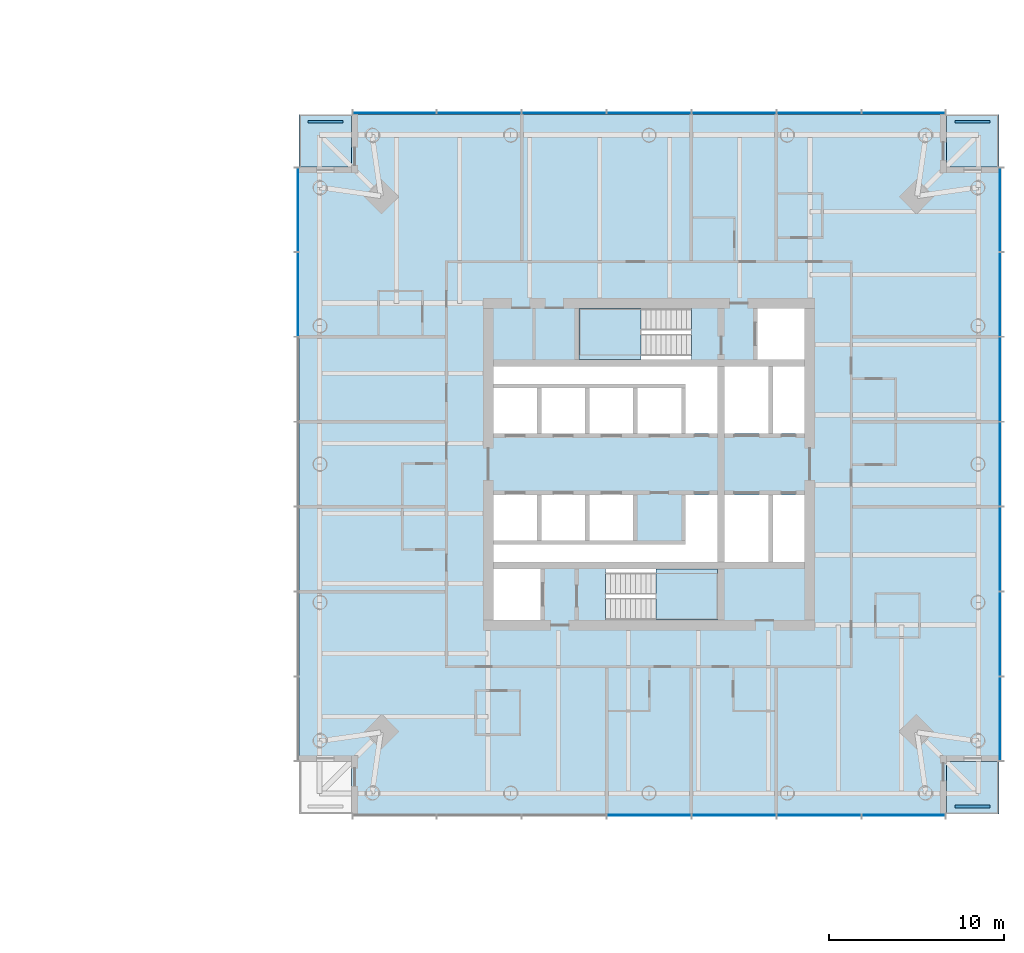
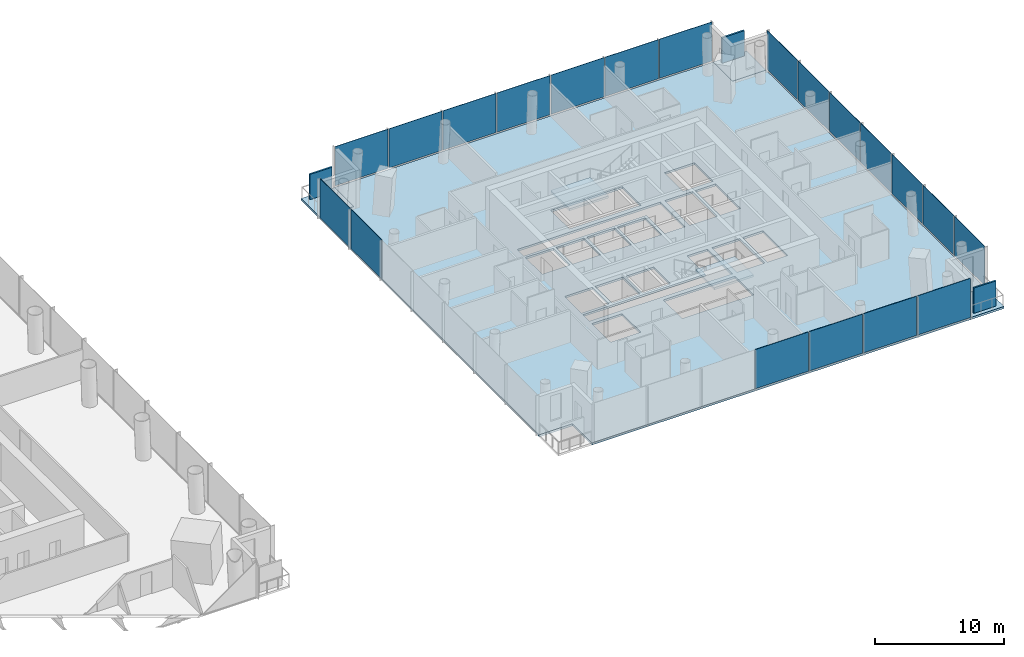
# One storey, part 8 of 19: 23 plates, 6 slabs, 6 elements without a shape of their own.
"""IFC4 building model written with IfcOpenShell, lengths in metres."""

import ifcopenshell
import ifcopenshell.guid

model = None  # the IFC model being written
_history = None  # IfcOwnerHistory: only IFC2X3 demands one
_inside = {}  # id of a spatial element -> (the spatial element, [elements in it])
_under = {}  # id of a project, library or spatial element -> (it, [spatial elements below it])
_declared = {}  # id of a project -> (the project, [libraries it declares])
_typed = {}  # id of a type object -> (the type object, [elements of that type])
_made_of = {}  # id of a material, layer set ... -> (it, [elements and type objects made of it])


def new_model(schema):
    """Start an empty IFC model of exactly this schema.

    Asked for "IFC4X3", IfcOpenShell would pick the latest addendum, in which some entities
    have other attributes; the version numbers below select the first issue.
    IFC2X3 requires an IfcOwnerHistory on every rooted entity: one is made here for all.
    """
    global model, _history
    if schema == "IFC4X3":
        model = ifcopenshell.file(schema_version=(4, 3, 0, 0))
    else:
        model = ifcopenshell.file(schema=schema)
    _inside.clear()
    _under.clear()
    _declared.clear()
    _typed.clear()
    _made_of.clear()
    _history = None
    if model.schema == "IFC2X3":
        org = make("IfcOrganization", Name="unknown")
        user = make(
            "IfcPersonAndOrganization",
            ThePerson=make("IfcPerson", FamilyName="unknown"),
            TheOrganization=org,
        )
        app = make(
            "IfcApplication",
            ApplicationDeveloper=org,
            Version="unknown",
            ApplicationFullName="unknown",
            ApplicationIdentifier="unknown",
        )
        _history = make(
            "IfcOwnerHistory",
            OwningUser=user,
            OwningApplication=app,
            ChangeAction="ADDED",
            CreationDate=0,
        )
    return model


def make(cls, **values):
    """One entity of the class cls with the attributes given. An attribute that is None is left unset."""
    return model.create_entity(
        cls, **{name: value for name, value in values.items() if value is not None}
    )


def rooted(cls, **values):
    """An entity with a GlobalId (a new one), such as an element, a storey or a relation."""
    return make(cls, GlobalId=ifcopenshell.guid.new(), OwnerHistory=_history, **values)


def si_unit(unit_type, name, prefix=None):
    """IfcSIUnit, for example si_unit("LENGTHUNIT", "METRE", prefix="MILLI")."""
    return make("IfcSIUnit", UnitType=unit_type, Prefix=prefix, Name=name)


def assignment(units):
    """IfcUnitAssignment: the units of a project."""
    return None if units is None else make("IfcUnitAssignment", Units=units)


def point(xyz):
    """IfcCartesianPoint."""
    return None if xyz is None else make("IfcCartesianPoint", Coordinates=xyz)


def direction(xyz):
    """IfcDirection."""
    return None if xyz is None else make("IfcDirection", DirectionRatios=xyz)


def frame(location, z_axis=None, x_axis=None):
    """IfcAxis2Placement3D, a coordinate frame: its origin and axes. An axis left out is left unset."""
    return make(
        "IfcAxis2Placement3D",
        Location=point(location),
        Axis=direction(z_axis),
        RefDirection=direction(x_axis),
    )


def frame_2d(location, x_axis=None):
    """IfcAxis2Placement2D, a coordinate frame in the plane: its origin and x axis."""
    return make(
        "IfcAxis2Placement2D", Location=point(location), RefDirection=direction(x_axis)
    )


def origin():
    """The frame at (0, 0, 0) with its axes left unset."""
    return frame((0.0, 0.0, 0.0))


def origin_2d():
    """The frame at (0, 0) in the plane with its x axis left unset."""
    return frame_2d((0.0, 0.0))


def place(relative_to, where):
    """IfcLocalPlacement: puts the frame where relative to a parent placement (None: the world)."""
    return make(
        "IfcLocalPlacement", PlacementRelTo=relative_to, RelativePlacement=where
    )


def context(
    kind, dimensions, precision=None, world=None, true_north=None, identifier=None
):
    """IfcGeometricRepresentationContext, for example the 3D "Model" context."""
    return make(
        "IfcGeometricRepresentationContext",
        ContextIdentifier=identifier,
        ContextType=kind,
        CoordinateSpaceDimension=dimensions,
        Precision=precision,
        WorldCoordinateSystem=world,
        TrueNorth=true_north,
    )


def subcontext(parent, identifier, kind, view, scale=None):
    """IfcGeometricRepresentationSubContext, for example "Body" below "Model"."""
    return make(
        "IfcGeometricRepresentationSubContext",
        ContextIdentifier=identifier,
        ContextType=kind,
        ParentContext=parent,
        TargetScale=scale,
        TargetView=view,
    )


def project(units=None, contexts=None):
    """IfcProject with its units and contexts."""
    return rooted(
        "IfcProject",
        Name="project",
        RepresentationContexts=contexts,
        UnitsInContext=assignment(units),
    )


def spatial(cls, under=None, at=None, **own):
    """A site, building, storey or space (cls), placed at a placement, below another one or the project."""
    s = rooted(cls, ObjectPlacement=at, **own)
    if under is not None:
        _under.setdefault(under.id(), (under, []))[1].append(s)
    return s


def polyline(points):
    """IfcPolyline through the points."""
    return make("IfcPolyline", Points=[point(p) for p in points])


def profile(cls, at=None, kind="AREA", **sizes):
    """A parametric profile (cls). Its sizes go by their IFC names, for example OverallWidth=200.0."""
    return make(cls, ProfileType=kind, Position=at, **sizes)


def rectangle(**sizes):
    """IfcRectangleProfileDef."""
    return profile("IfcRectangleProfileDef", **sizes)


def outline(outer, holes=None, kind="AREA"):
    """IfcArbitraryClosedProfileDef: a profile drawn as a closed curve; with holes, ...WithVoids."""
    if holes is None:
        return make("IfcArbitraryClosedProfileDef", ProfileType=kind, OuterCurve=outer)
    return make(
        "IfcArbitraryProfileDefWithVoids",
        ProfileType=kind,
        OuterCurve=outer,
        InnerCurves=holes,
    )


def extrude(swept, where, along, depth):
    """IfcExtrudedAreaSolid: the profile swept, set in the frame where, extruded along a direction by depth."""
    return make(
        "IfcExtrudedAreaSolid",
        SweptArea=swept,
        Position=where,
        ExtrudedDirection=direction(along),
        Depth=depth,
    )


def shape(context_of_items, identifier, shape_type, items):
    """IfcShapeRepresentation: the items that make up one representation, for example the "Body"."""
    return make(
        "IfcShapeRepresentation",
        ContextOfItems=context_of_items,
        RepresentationIdentifier=identifier,
        RepresentationType=shape_type,
        Items=items,
    )


def material(Name=None, Category=None):
    """IfcMaterial."""
    return make("IfcMaterial", Name=Name, Category=Category)


def layer(
    of_material, thickness, ventilated=None, Name=None, Category=None, Priority=None
):
    """IfcMaterialLayer: one layer of a wall or slab, of a material (None: an air gap)."""
    return make(
        "IfcMaterialLayer",
        Material=of_material,
        LayerThickness=thickness,
        IsVentilated=ventilated,
        Name=Name,
        Category=Category,
        Priority=Priority,
    )


def layer_set(layers, Name=None):
    """IfcMaterialLayerSet."""
    return make("IfcMaterialLayerSet", MaterialLayers=layers, LayerSetName=Name)


def made_of(thing, what):
    """Note that an element or type object is made of a material, layer set ...; save() writes the relation."""
    if what is not None:
        _made_of.setdefault(what.id(), (what, []))[1].append(thing)
    return thing


def type_object(cls, material=None, **own):
    """A type object (cls), such as IfcWallType, which elements share."""
    return made_of(rooted(cls, **own), material)


def element(
    cls,
    number,
    at=None,
    inside=None,
    cuts=None,
    type_object=None,
    material=None,
    context=None,
    identifier="Body",
    shape_type=None,
    held_by="IfcProductDefinitionShape",
    body=None,
    shapes=None,
    **own,
):
    """One element of the class cls, such as IfcWall. Its Tag is "e" and its number.

    at: its placement. inside: the storey or other place that contains it. cuts: it is an
    opening in that element (IfcRelVoidsElement). A single representation is given by context,
    identifier, shape_type and body (its items); several are given by shapes. held_by: the class
    of the entity that holds the representations. save() writes the other relations.
    """
    e = rooted(cls, Tag="e%d" % number, ObjectPlacement=at, **own)
    if body is not None:
        shapes = [shape(context, identifier, shape_type, body)]
    if shapes is not None:
        e.Representation = make(held_by, Representations=shapes)
    if inside is not None:
        _inside.setdefault(inside.id(), (inside, []))[1].append(e)
    if cuts is not None:
        rooted(
            "IfcRelVoidsElement", RelatingBuildingElement=cuts, RelatedOpeningElement=e
        )
    if type_object is not None:
        _typed.setdefault(type_object.id(), (type_object, []))[1].append(e)
    return made_of(e, material)


def aggregate(whole, parts):
    """IfcRelAggregates: a whole, such as a stair, and the parts it consists of."""
    return rooted("IfcRelAggregates", RelatingObject=whole, RelatedObjects=parts)


def save(model, path):
    """Write the relations noted so far, then the file.

    IfcRelAggregates (storeys below a building ...), IfcRelContainedInSpatialStructure (elements
    in a storey), IfcRelDefinesByType, IfcRelAssociatesMaterial and IfcRelDeclares: one each for
    every whole, place, type object, material and project.
    """
    for whole, parts in _under.values():
        aggregate(whole, parts)
    for where, things in _inside.values():
        rooted(
            "IfcRelContainedInSpatialStructure",
            RelatedElements=things,
            RelatingStructure=where,
        )
    for kind, things in _typed.values():
        rooted("IfcRelDefinesByType", RelatedObjects=things, RelatingType=kind)
    for what, things in _made_of.values():
        rooted("IfcRelAssociatesMaterial", RelatedObjects=things, RelatingMaterial=what)
    for by, libraries in _declared.values():
        rooted("IfcRelDeclares", RelatingContext=by, RelatedDefinitions=libraries)
    model.write(path)


model = new_model("IFC4")

# Units and contexts
model_context = context("Model", 3, precision=1e-05, world=origin(), true_north=direction((0.0, 1.0)))
body_context = subcontext(model_context, "Body", "Model", "MODEL_VIEW")
ifc_project = project(units=[si_unit("LENGTHUNIT", "METRE"), si_unit("AREAUNIT", "SQUARE_METRE"), si_unit("VOLUMEUNIT", "CUBIC_METRE"), si_unit("PLANEANGLEUNIT", "RADIAN"), si_unit("MASSUNIT", "GRAM", prefix="KILO")], contexts=[model_context])

# Site, building, storey
site_placement = place(None, origin())
site = spatial("IfcSite", under=ifc_project, at=site_placement, CompositionType="ELEMENT")
building_placement = place(site_placement, origin())
building = spatial("IfcBuilding", under=site, at=building_placement, Name="Ostroluk Exchange", CompositionType="ELEMENT")
storey_placement = place(building_placement, frame((0.0, 0.0, 24.800048828125)))
storey = spatial("IfcBuildingStorey", under=building, at=storey_placement, Name="L05", CompositionType="ELEMENT", Elevation=24.800048828125)

# Curtain wall, plates
ifc_material_1 = material(Name="Laminated clear glass", Category="glass")
curtain_wall_type = type_object("IfcCurtainWallType", Name="Hotel guest floor facade", PredefinedType="USERDEFINED", material=ifc_material_1)
curtain_wall_1_placement = place(storey_placement, origin())
curtain_wall_1 = element("IfcCurtainWall", 1, at=curtain_wall_1_placement, inside=storey, type_object=curtain_wall_type, Name="Hotel tower south facade L05", ObjectType="UNITISED CURTAIN WALL", PredefinedType="USERDEFINED")
ifc_material_2 = material(Name="Laminated clear glass", Category="glass")
ifc_layer_1 = layer(ifc_material_2, 0.0400390625)
ifc_layer_set_1 = layer_set([ifc_layer_1], Name="Acoustic laminated glazing 40")
plate_type_1 = type_object("IfcPlateType", Name="Acoustic laminated glazing 40", PredefinedType="CURTAIN_PANEL", material=ifc_layer_set_1)
plate_1_placement = place(storey_placement, frame((117.0, 25.925048828125, 0.080078125), z_axis=(0.0, 0.0, 1.0), x_axis=(1.0, 0.0, 0.0)))
plate_1 = element("IfcPlate", 2, at=plate_1_placement, type_object=plate_type_1, Name="CW-H1 panel 4.1", PredefinedType="CURTAIN_PANEL", context=body_context, shape_type="SweptSolid", body=[
    extrude(rectangle(XDim=4.777099609375, YDim=0.0400390625, at=origin_2d()), origin(), (0.0, 0.0, 1.0), 3.719970703125),
])
plate_2_placement = place(storey_placement, frame((121.857177734375, 25.925048828125, 0.080078125), z_axis=(0.0, 0.0, 1.0), x_axis=(1.0, 0.0, 0.0)))
plate_2 = element("IfcPlate", 3, at=plate_2_placement, type_object=plate_type_1, Name="CW-H1 panel 5.1", PredefinedType="CURTAIN_PANEL", context=body_context, shape_type="SweptSolid", body=[
    extrude(rectangle(XDim=4.777099609375, YDim=0.0400390625, at=origin_2d()), origin(), (0.0, 0.0, 1.0), 3.719970703125),
])
plate_3_placement = place(storey_placement, frame((126.71435546875, 25.925048828125, 0.080078125), z_axis=(0.0, 0.0, 1.0), x_axis=(1.0, 0.0, 0.0)))
plate_3 = element("IfcPlate", 4, at=plate_3_placement, type_object=plate_type_1, Name="CW-H1 panel 6.1", PredefinedType="CURTAIN_PANEL", context=body_context, shape_type="SweptSolid", body=[
    extrude(rectangle(XDim=4.777099609375, YDim=0.0400390625, at=origin_2d()), origin(), (0.0, 0.0, 1.0), 3.719970703125),
])
plate_4_placement = place(storey_placement, frame((131.551513671875, 25.925048828125, 0.080078125), z_axis=(0.0, 0.0, 1.0), x_axis=(1.0, 0.0, 0.0)))
plate_4 = element("IfcPlate", 5, at=plate_4_placement, type_object=plate_type_1, Name="CW-H1 panel 7.1", PredefinedType="CURTAIN_PANEL", context=body_context, shape_type="SweptSolid", body=[
    extrude(rectangle(XDim=4.737060546875, YDim=0.0400390625, at=origin_2d()), origin(), (0.0, 0.0, 1.0), 3.719970703125),
])
aggregate(curtain_wall_1, [plate_1, plate_2, plate_3, plate_4])

curtain_wall_2_placement = place(storey_placement, origin())
curtain_wall_2 = element("IfcCurtainWall", 6, at=curtain_wall_2_placement, inside=storey, type_object=curtain_wall_type, Name="Hotel tower east facade L05", ObjectType="UNITISED CURTAIN WALL", PredefinedType="USERDEFINED")
plate_5_placement = place(storey_placement, frame((137.074951171875, 31.448486328125, 0.080078125), z_axis=(0.0, 0.0, 1.0), x_axis=(0.0, 1.0, 0.0)))
plate_5 = element("IfcPlate", 7, at=plate_5_placement, type_object=plate_type_1, Name="CW-H1 panel 1.1", PredefinedType="CURTAIN_PANEL", context=body_context, shape_type="SweptSolid", body=[
    extrude(rectangle(XDim=4.737060546875, YDim=0.0400390625, at=origin_2d()), origin(), (0.0, 0.0, 1.0), 3.719970703125),
])
plate_6_placement = place(storey_placement, frame((137.074951171875, 36.28564453125, 0.080078125), z_axis=(0.0, 0.0, 1.0), x_axis=(0.0, 1.0, 0.0)))
plate_6 = element("IfcPlate", 8, at=plate_6_placement, type_object=plate_type_1, Name="CW-H1 panel 2.1", PredefinedType="CURTAIN_PANEL", context=body_context, shape_type="SweptSolid", body=[
    extrude(rectangle(XDim=4.777099609375, YDim=0.0400390625, at=origin_2d()), origin(), (0.0, 0.0, 1.0), 3.719970703125),
])
plate_7_placement = place(storey_placement, frame((137.074951171875, 41.142822265625, 0.080078125), z_axis=(0.0, 0.0, 1.0), x_axis=(0.0, 1.0, 0.0)))
plate_7 = element("IfcPlate", 9, at=plate_7_placement, type_object=plate_type_1, Name="CW-H1 panel 3.1", PredefinedType="CURTAIN_PANEL", context=body_context, shape_type="SweptSolid", body=[
    extrude(rectangle(XDim=4.777099609375, YDim=0.0400390625, at=origin_2d()), origin(), (0.0, 0.0, 1.0), 3.719970703125),
])
plate_8_placement = place(storey_placement, frame((137.074951171875, 46.0, 0.080078125), z_axis=(0.0, 0.0, 1.0), x_axis=(0.0, 1.0, 0.0)))
plate_8 = element("IfcPlate", 10, at=plate_8_placement, type_object=plate_type_1, Name="CW-H1 panel 4.1", PredefinedType="CURTAIN_PANEL", context=body_context, shape_type="SweptSolid", body=[
    extrude(rectangle(XDim=4.777099609375, YDim=0.0400390625, at=origin_2d()), origin(), (0.0, 0.0, 1.0), 3.719970703125),
])
plate_9_placement = place(storey_placement, frame((137.074951171875, 50.857177734375, 0.080078125), z_axis=(0.0, 0.0, 1.0), x_axis=(0.0, 1.0, 0.0)))
plate_9 = element("IfcPlate", 11, at=plate_9_placement, type_object=plate_type_1, Name="CW-H1 panel 5.1", PredefinedType="CURTAIN_PANEL", context=body_context, shape_type="SweptSolid", body=[
    extrude(rectangle(XDim=4.777099609375, YDim=0.0400390625, at=origin_2d()), origin(), (0.0, 0.0, 1.0), 3.719970703125),
])
plate_10_placement = place(storey_placement, frame((137.074951171875, 55.71435546875, 0.080078125), z_axis=(0.0, 0.0, 1.0), x_axis=(0.0, 1.0, 0.0)))
plate_10 = element("IfcPlate", 12, at=plate_10_placement, type_object=plate_type_1, Name="CW-H1 panel 6.1", PredefinedType="CURTAIN_PANEL", context=body_context, shape_type="SweptSolid", body=[
    extrude(rectangle(XDim=4.777099609375, YDim=0.0400390625, at=origin_2d()), origin(), (0.0, 0.0, 1.0), 3.719970703125),
])
plate_11_placement = place(storey_placement, frame((137.074951171875, 60.551513671875, 0.080078125), z_axis=(0.0, 0.0, 1.0), x_axis=(0.0, 1.0, 0.0)))
plate_11 = element("IfcPlate", 13, at=plate_11_placement, type_object=plate_type_1, Name="CW-H1 panel 7.1", PredefinedType="CURTAIN_PANEL", context=body_context, shape_type="SweptSolid", body=[
    extrude(rectangle(XDim=4.737060546875, YDim=0.0400390625, at=origin_2d()), origin(), (0.0, 0.0, 1.0), 3.719970703125),
])
aggregate(curtain_wall_2, [plate_5, plate_6, plate_7, plate_8, plate_9, plate_10, plate_11])

curtain_wall_3_placement = place(storey_placement, origin())
curtain_wall_3 = element("IfcCurtainWall", 14, at=curtain_wall_3_placement, inside=storey, type_object=curtain_wall_type, Name="Hotel tower north facade L05", ObjectType="UNITISED CURTAIN WALL", PredefinedType="USERDEFINED")
plate_12_placement = place(storey_placement, frame((131.551513671875, 66.074951171875, 0.080078125), z_axis=(0.0, 0.0, 1.0), x_axis=(-1.0, 0.0, 0.0)))
plate_12 = element("IfcPlate", 15, at=plate_12_placement, type_object=plate_type_1, Name="CW-H1 panel 1.1", PredefinedType="CURTAIN_PANEL", context=body_context, shape_type="SweptSolid", body=[
    extrude(rectangle(XDim=4.737060546875, YDim=0.0400390625, at=origin_2d()), origin(), (0.0, 0.0, 1.0), 3.719970703125),
])
plate_13_placement = place(storey_placement, frame((126.71435546875, 66.074951171875, 0.080078125), z_axis=(0.0, 0.0, 1.0), x_axis=(-1.0, 0.0, 0.0)))
plate_13 = element("IfcPlate", 16, at=plate_13_placement, type_object=plate_type_1, Name="CW-H1 panel 2.1", PredefinedType="CURTAIN_PANEL", context=body_context, shape_type="SweptSolid", body=[
    extrude(rectangle(XDim=4.777099609375, YDim=0.0400390625, at=origin_2d()), origin(), (0.0, 0.0, 1.0), 3.719970703125),
])
plate_14_placement = place(storey_placement, frame((121.857177734375, 66.074951171875, 0.080078125), z_axis=(0.0, 0.0, 1.0), x_axis=(-1.0, 0.0, 0.0)))
plate_14 = element("IfcPlate", 17, at=plate_14_placement, type_object=plate_type_1, Name="CW-H1 panel 3.1", PredefinedType="CURTAIN_PANEL", context=body_context, shape_type="SweptSolid", body=[
    extrude(rectangle(XDim=4.777099609375, YDim=0.0400390625, at=origin_2d()), origin(), (0.0, 0.0, 1.0), 3.719970703125),
])
plate_15_placement = place(storey_placement, frame((117.0, 66.074951171875, 0.080078125), z_axis=(0.0, 0.0, 1.0), x_axis=(-1.0, 0.0, 0.0)))
plate_15 = element("IfcPlate", 18, at=plate_15_placement, type_object=plate_type_1, Name="CW-H1 panel 4.1", PredefinedType="CURTAIN_PANEL", context=body_context, shape_type="SweptSolid", body=[
    extrude(rectangle(XDim=4.777099609375, YDim=0.0400390625, at=origin_2d()), origin(), (0.0, 0.0, 1.0), 3.719970703125),
])
plate_16_placement = place(storey_placement, frame((112.142822265625, 66.074951171875, 0.080078125), z_axis=(0.0, 0.0, 1.0), x_axis=(-1.0, 0.0, 0.0)))
plate_16 = element("IfcPlate", 19, at=plate_16_placement, type_object=plate_type_1, Name="CW-H1 panel 5.1", PredefinedType="CURTAIN_PANEL", context=body_context, shape_type="SweptSolid", body=[
    extrude(rectangle(XDim=4.777099609375, YDim=0.0400390625, at=origin_2d()), origin(), (0.0, 0.0, 1.0), 3.719970703125),
])
plate_17_placement = place(storey_placement, frame((107.28564453125, 66.074951171875, 0.080078125), z_axis=(0.0, 0.0, 1.0), x_axis=(-1.0, 0.0, 0.0)))
plate_17 = element("IfcPlate", 20, at=plate_17_placement, type_object=plate_type_1, Name="CW-H1 panel 6.1", PredefinedType="CURTAIN_PANEL", context=body_context, shape_type="SweptSolid", body=[
    extrude(rectangle(XDim=4.777099609375, YDim=0.0400390625, at=origin_2d()), origin(), (0.0, 0.0, 1.0), 3.719970703125),
])
plate_18_placement = place(storey_placement, frame((102.448486328125, 66.074951171875, 0.080078125), z_axis=(0.0, 0.0, 1.0), x_axis=(-1.0, 0.0, 0.0)))
plate_18 = element("IfcPlate", 21, at=plate_18_placement, type_object=plate_type_1, Name="CW-H1 panel 7.1", PredefinedType="CURTAIN_PANEL", context=body_context, shape_type="SweptSolid", body=[
    extrude(rectangle(XDim=4.737060546875, YDim=0.0400390625, at=origin_2d()), origin(), (0.0, 0.0, 1.0), 3.719970703125),
])
aggregate(curtain_wall_3, [plate_12, plate_13, plate_14, plate_15, plate_16, plate_17, plate_18])

curtain_wall_4_placement = place(storey_placement, origin())
curtain_wall_4 = element("IfcCurtainWall", 22, at=curtain_wall_4_placement, inside=storey, type_object=curtain_wall_type, Name="Hotel tower west facade L05", ObjectType="UNITISED CURTAIN WALL", PredefinedType="USERDEFINED")
plate_19_placement = place(storey_placement, frame((96.925048828125, 60.551513671875, 0.080078125), z_axis=(0.0, 0.0, 1.0), x_axis=(0.0, -1.0, 0.0)))
plate_19 = element("IfcPlate", 23, at=plate_19_placement, type_object=plate_type_1, Name="CW-H1 panel 1.1", PredefinedType="CURTAIN_PANEL", context=body_context, shape_type="SweptSolid", body=[
    extrude(rectangle(XDim=4.737060546875, YDim=0.0400390625, at=origin_2d()), origin(), (0.0, 0.0, 1.0), 3.719970703125),
])
plate_20_placement = place(storey_placement, frame((96.925048828125, 55.71435546875, 0.080078125), z_axis=(0.0, 0.0, 1.0), x_axis=(0.0, -1.0, 0.0)))
plate_20 = element("IfcPlate", 24, at=plate_20_placement, type_object=plate_type_1, Name="CW-H1 panel 2.1", PredefinedType="CURTAIN_PANEL", context=body_context, shape_type="SweptSolid", body=[
    extrude(rectangle(XDim=4.777099609375, YDim=0.0400390625, at=origin_2d()), origin(), (0.0, 0.0, 1.0), 3.719970703125),
])
aggregate(curtain_wall_4, [plate_19, plate_20])

# Slabs
ifc_material_3 = material(Name="Concrete C35/45", Category="concrete")
ifc_layer_2 = layer(ifc_material_3, 0.199951171875)
ifc_layer_set_2 = layer_set([ifc_layer_2], Name="Balcony slab 200")
slab_type_1 = type_object("IfcSlabType", Name="Balcony slab 200", PredefinedType="USERDEFINED", material=ifc_layer_set_2)
slab_1_placement = place(storey_placement, frame((0.0, 0.0, -0.199951171875)))
element("IfcSlab", 25, at=slab_1_placement, inside=storey, type_object=slab_type_1, Name="Hotel tower SE corner balcony L05", ObjectType="BALCONY", PredefinedType="USERDEFINED", context=body_context, shape_type="SweptSolid", body=[
    extrude(outline(polyline([(134.0, 26.0), (137.0, 26.0), (137.0, 29.0), (134.0, 29.0), (134.0, 26.0)])), origin(), (0.0, 0.0, 1.0), 0.199951171875),
])
slab_2_placement = place(storey_placement, frame((0.0, 0.0, -0.199951171875)))
element("IfcSlab", 26, at=slab_2_placement, inside=storey, type_object=slab_type_1, Name="Hotel tower NE corner balcony L05", ObjectType="BALCONY", PredefinedType="USERDEFINED", context=body_context, shape_type="SweptSolid", body=[
    extrude(outline(polyline([(134.0, 63.0), (137.0, 63.0), (137.0, 66.0), (134.0, 66.0), (134.0, 63.0)])), origin(), (0.0, 0.0, 1.0), 0.199951171875),
])
slab_3_placement = place(storey_placement, frame((0.0, 0.0, -0.199951171875)))
element("IfcSlab", 27, at=slab_3_placement, inside=storey, type_object=slab_type_1, Name="Hotel tower NW corner balcony L05", ObjectType="BALCONY", PredefinedType="USERDEFINED", context=body_context, shape_type="SweptSolid", body=[
    extrude(outline(polyline([(97.0, 63.0), (100.0, 63.0), (100.0, 66.0), (97.0, 66.0), (97.0, 63.0)])), origin(), (0.0, 0.0, 1.0), 0.199951171875),
])

# Plates
ifc_material_4 = material(Name="Steel S355 trellis with planting", Category="steel")
ifc_layer_3 = layer(ifc_material_4, 0.14990234375)
ifc_layer_set_3 = layer_set([ifc_layer_3], Name="Planted screen 150")
plate_type_2 = type_object("IfcPlateType", Name="Planted screen 150", PredefinedType="USERDEFINED", material=ifc_layer_set_3)
for number, where, z_axis, x_axis, name in (
    (28, (135.5, 26.425048828125, 0.0), (0.0, 0.0, 1.0), (1.0, 0.0, 0.0), "Hotel tower SE planted screen L05"),
    (29, (135.5, 65.574951171875, 0.0), (0.0, 0.0, 1.0), (1.0, 0.0, 0.0), "Hotel tower NE planted screen L05"),
    (30, (98.5, 65.574951171875, 0.0), (0.0, 0.0, 1.0), (1.0, 0.0, 0.0), "Hotel tower NW planted screen L05"),
):
    element("IfcPlate", number, at=place(storey_placement, frame(where, z_axis=z_axis, x_axis=x_axis)), inside=storey, type_object=plate_type_2, Name=name, ObjectType="PLANTED SCREEN", PredefinedType="USERDEFINED", context=body_context, shape_type="SweptSolid", body=[
        extrude(rectangle(XDim=2.0, YDim=0.14990234375, at=origin_2d()), origin(), (0.0, 0.0, 1.0), 2.39990234375),
    ])

# Stair, slab
ifc_material_5 = material(Name="Concrete C30/37", Category="concrete")
stair_type = type_object("IfcStairType", Name="Exit stair half turn 3800", PredefinedType="HALF_TURN_STAIR", material=ifc_material_5)
stair_1_placement = place(storey_placement, origin())
stair_1 = element("IfcStair", 31, at=stair_1_placement, inside=storey, type_object=stair_type, Name="Stair T2-S1 L05", PredefinedType="HALF_TURN_STAIR")
ifc_material_6 = material(Name="Concrete C30/37", Category="concrete")
ifc_layer_4 = layer(ifc_material_6, 0.199951171875)
ifc_layer_set_4 = layer_set([ifc_layer_4], Name="Stair landing 200")
slab_type_2 = type_object("IfcSlabType", Name="Stair landing 200", PredefinedType="LANDING", material=ifc_layer_set_4)
slab_4_placement = place(storey_placement, frame((0.0, 0.0, 1.699951171875)))
slab_4 = element("IfcSlab", 32, at=slab_4_placement, type_object=slab_type_2, Name="T2-S1 landing 1", PredefinedType="LANDING", context=body_context, shape_type="SweptSolid", body=[
    extrude(outline(polyline([(117.39990234375, 37.10009765625), (117.39990234375, 40.0), (120.929931640625, 40.0), (120.929931640625, 37.10009765625), (117.39990234375, 37.10009765625)])), origin(), (0.0, 0.0, 1.0), 0.199951171875),
])
aggregate(stair_1, [slab_4])

stair_2_placement = place(storey_placement, origin())
stair_2 = element("IfcStair", 33, at=stair_2_placement, inside=storey, type_object=stair_type, Name="Stair T2-S2 L05", PredefinedType="HALF_TURN_STAIR")
slab_5_placement = place(storey_placement, frame((0.0, 0.0, 1.699951171875)))
slab_5 = element("IfcSlab", 34, at=slab_5_placement, type_object=slab_type_2, Name="T2-S2 landing 1", PredefinedType="LANDING", context=body_context, shape_type="SweptSolid", body=[
    extrude(outline(polyline([(116.530029296875, 52.0), (116.530029296875, 54.89990234375), (113.0, 54.89990234375), (113.0, 52.0), (116.530029296875, 52.0)])), origin(), (0.0, 0.0, 1.0), 0.199951171875),
])
aggregate(stair_2, [slab_5])

# Slab
ifc_material_7 = material(Name="Concrete C35/45", Category="concrete")
ifc_layer_5 = layer(ifc_material_7, 0.199951171875)
ifc_layer_set_5 = layer_set([ifc_layer_5], Name="Tower floor slab 200 composite")
slab_type_3 = type_object("IfcSlabType", Name="Tower floor slab 200 composite", PredefinedType="FLOOR", material=ifc_layer_set_5)
slab_6_placement = place(storey_placement, frame((0.0, 0.0, -0.199951171875)))
element("IfcSlab", 35, at=slab_6_placement, inside=storey, type_object=slab_type_3, Name="Hotel tower floor slab L05", PredefinedType="FLOOR", context=body_context, shape_type="SweptSolid", body=[
    extrude(outline(polyline([(100.0, 26.0), (134.0, 26.0), (134.0, 29.0), (137.0, 29.0), (137.0, 63.0), (134.0, 63.0), (134.0, 66.0), (100.0, 66.0), (100.0, 63.0), (97.0, 63.0), (97.0, 29.0), (100.0, 29.0), (100.0, 26.0)]), holes=[polyline([(108.10009765625, 37.10009765625), (110.800048828125, 37.10009765625), (110.800048828125, 40.0), (108.10009765625, 40.0), (108.10009765625, 37.10009765625)]), polyline([(114.510009765625, 37.10009765625), (120.929931640625, 37.10009765625), (120.929931640625, 40.0), (114.510009765625, 40.0), (114.510009765625, 37.10009765625)]), polyline([(113.0, 52.0), (119.419921875, 52.0), (119.419921875, 54.89990234375), (113.0, 54.89990234375), (113.0, 52.0)]), polyline([(123.199951171875, 52.0), (125.89990234375, 52.0), (125.89990234375, 54.89990234375), (123.199951171875, 54.89990234375), (123.199951171875, 52.0)]), polyline([(108.10009765625, 47.75), (110.60009765625, 47.75), (110.60009765625, 50.35009765625), (108.10009765625, 50.35009765625), (108.10009765625, 47.75)]), polyline([(110.85009765625, 47.75), (113.35009765625, 47.75), (113.35009765625, 50.35009765625), (110.85009765625, 50.35009765625), (110.85009765625, 47.75)]), polyline([(113.60009765625, 47.75), (116.10009765625, 47.75), (116.10009765625, 50.35009765625), (113.60009765625, 50.35009765625), (113.60009765625, 47.75)]), polyline([(116.35009765625, 47.75), (118.85009765625, 47.75), (118.85009765625, 50.35009765625), (116.35009765625, 50.35009765625), (116.35009765625, 47.75)]), polyline([(108.10009765625, 41.64990234375), (110.60009765625, 41.64990234375), (110.60009765625, 44.25), (108.10009765625, 44.25), (108.10009765625, 41.64990234375)]), polyline([(110.85009765625, 41.64990234375), (113.35009765625, 41.64990234375), (113.35009765625, 44.25), (110.85009765625, 44.25), (110.85009765625, 41.64990234375)]), polyline([(113.60009765625, 41.64990234375), (116.10009765625, 41.64990234375), (116.10009765625, 44.25), (113.60009765625, 44.25), (113.60009765625, 41.64990234375)]), polyline([(121.330078125, 47.75), (123.830078125, 47.75), (123.830078125, 51.60009765625), (121.330078125, 51.60009765625), (121.330078125, 47.75)]), polyline([(121.330078125, 40.39990234375), (123.830078125, 40.39990234375), (123.830078125, 44.25), (121.330078125, 44.25), (121.330078125, 40.39990234375)]), polyline([(120.929931640625, 51.60009765625), (120.929931640625, 47.75), (119.10009765625, 47.75), (119.10009765625, 50.60009765625), (108.10009765625, 50.60009765625), (108.10009765625, 51.60009765625), (120.929931640625, 51.60009765625)]), polyline([(108.10009765625, 40.39990234375), (108.10009765625, 41.39990234375), (119.10009765625, 41.39990234375), (119.10009765625, 44.25), (120.929931640625, 44.25), (120.929931640625, 40.39990234375), (108.10009765625, 40.39990234375)]), polyline([(124.080078125, 47.75), (125.89990234375, 47.75), (125.89990234375, 51.60009765625), (124.080078125, 51.60009765625), (124.080078125, 47.75)]), polyline([(124.080078125, 40.39990234375), (125.89990234375, 40.39990234375), (125.89990234375, 44.25), (124.080078125, 44.25), (124.080078125, 40.39990234375)])]), origin(), (0.0, 0.0, 1.0), 0.199951171875),
])

save(model, "model.ifc")
